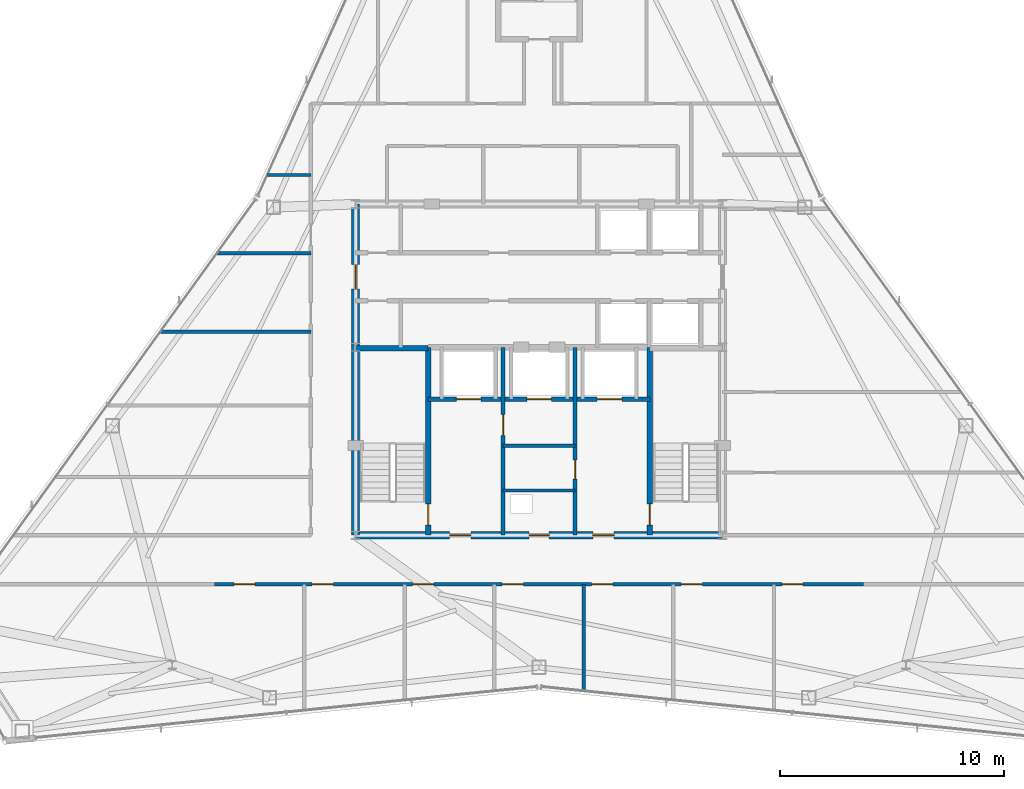
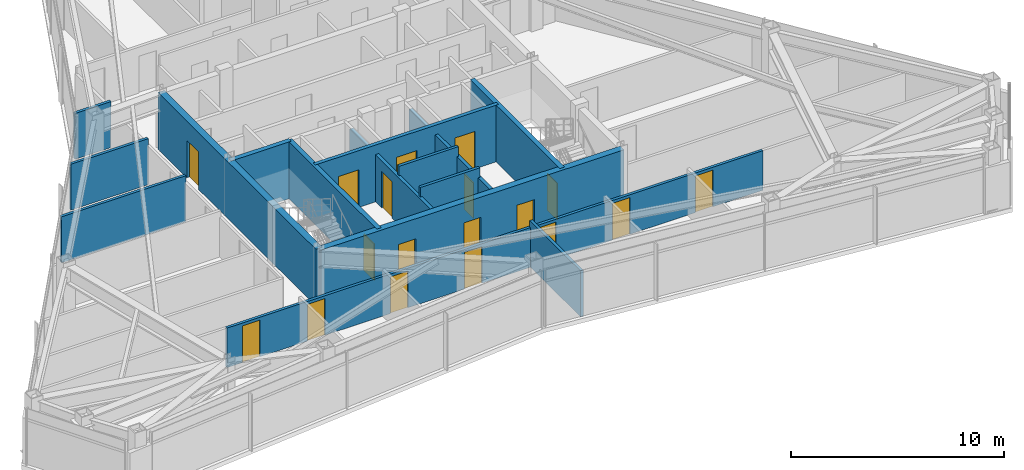
# One storey, part 9 of 12: 18 doors, 15 walls, 18 openings.
"""IFC4 building model written with IfcOpenShell, lengths in metres."""

from ifc_helpers import new_model, si_unit, direction, frame, frame_2d, origin, place, context, subcontext, project, spatial, rectangle, extrude, material, layer, layer_set, type_object, element, fill, save


model = new_model("IFC4")

# Units and contexts
model_context = context("Model", 3, precision=1e-05, world=origin(), true_north=direction((0.0, 1.0)))
body_context = subcontext(model_context, "Body", "Model", "MODEL_VIEW")
ifc_project = project(units=[si_unit("LENGTHUNIT", "METRE"), si_unit("AREAUNIT", "SQUARE_METRE"), si_unit("VOLUMEUNIT", "CUBIC_METRE"), si_unit("PLANEANGLEUNIT", "RADIAN"), si_unit("MASSUNIT", "GRAM", prefix="KILO")], contexts=[model_context])

# Site, building, storey
site_placement = place(None, origin())
site = spatial("IfcSite", under=ifc_project, at=site_placement, CompositionType="ELEMENT")
building_placement = place(site_placement, origin())
building = spatial("IfcBuilding", under=site, at=building_placement, Name="Varakhsha Concourse Tower", CompositionType="ELEMENT")
storey_placement = place(building_placement, frame((0.0, 0.0, 262.0)))
storey = spatial("IfcBuildingStorey", under=building, at=storey_placement, Name="L74", CompositionType="ELEMENT", Elevation=262.0)

# Wall, openings, doors
ifc_material_1 = material(Name="Concrete fc 65 MPa", Category="concrete")
ifc_layer_1 = layer(ifc_material_1, 0.35009765625, Name="WL-CORE-350")
ifc_layer_set_1 = layer_set([ifc_layer_1], Name="Concrete fc 65 MPa")
wall_type_1 = type_object("IfcWallType", Name="WL-CORE-350", PredefinedType="SHEAR", material=ifc_layer_set_1)
wall_1_placement = place(storey_placement, frame((31.800048828125, 16.39990234375, 0.0), z_axis=(0.0, 0.0, 1.0), x_axis=(1.0, 0.0, 0.0)))
wall_1 = element("IfcWall", 1, at=wall_1_placement, inside=storey, type_object=wall_type_1, Name="L74 Wall CWALL-S-L74", PredefinedType="SHEAR", context=body_context, shape_type="SweptSolid", body=[
    extrude(rectangle(XDim=16.39990234375, YDim=0.35009765625, at=frame_2d((8.199951171875, 0.0))), origin(), (0.0, 0.0, 1.0), 3.25),
])
opening_1_placement = place(wall_1_placement, frame((7.75, 0.0, 0.0)))
opening_1 = element("IfcOpeningElement", 2, at=opening_1_placement, cuts=wall_1, Name="Opening DF-06", PredefinedType="OPENING", context=body_context, shape_type="SweptSolid", body=[
    extrude(rectangle(XDim=0.89990234375, YDim=2.10009765625, at=frame_2d((0.449951171875, 1.050048828125))), frame((0.0, 0.18505859375, 0.0), z_axis=(0.0, -1.0, 0.0), x_axis=(1.0, 0.0, 0.0)), (0.0, 0.0, 1.0), 0.3701171875),
])
opening_2_placement = place(wall_1_placement, frame((4.199951171875, 0.0, 0.0)))
opening_2 = element("IfcOpeningElement", 3, at=opening_2_placement, cuts=wall_1, Name="Opening DF-05", PredefinedType="OPENING", context=body_context, shape_type="SweptSolid", body=[
    extrude(rectangle(XDim=0.949951171875, YDim=2.10009765625, at=frame_2d((0.47509765625, 1.050048828125))), frame((0.0, 0.18505859375, 0.0), z_axis=(0.0, -1.0, 0.0), x_axis=(1.0, 0.0, 0.0)), (0.0, 0.0, 1.0), 0.3701171875),
])
opening_3_placement = place(wall_1_placement, frame((10.60009765625, 0.0, 0.0)))
opening_3 = element("IfcOpeningElement", 4, at=opening_3_placement, cuts=wall_1, Name="Opening DF-05", PredefinedType="OPENING", context=body_context, shape_type="SweptSolid", body=[
    extrude(rectangle(XDim=0.949951171875, YDim=2.10009765625, at=frame_2d((0.47509765625, 1.050048828125))), frame((0.0, 0.18505859375, 0.0), z_axis=(0.0, -1.0, 0.0), x_axis=(1.0, 0.0, 0.0)), (0.0, 0.0, 1.0), 0.3701171875),
])
ifc_material_2 = material(Name="Hollow Galvanised Steel Fire Door Assembly", Category="steel")
door_type_1 = type_object("IfcDoorType", Name="DR-FD60-900", OperationType="NOTDEFINED", PredefinedType="DOOR", material=ifc_material_2)
door_1_placement = place(opening_1_placement, origin())
door_1 = element("IfcDoor", 5, at=door_1_placement, inside=storey, type_object=door_type_1, Name="L74 Electrical Riser Door", OperationType="SINGLE_SWING_LEFT", OverallHeight=2.10009765625, OverallWidth=0.89990234375, PredefinedType="DOOR", context=body_context, shape_type="SweptSolid", body=[
    extrude(rectangle(XDim=0.89990234375, YDim=2.10009765625, at=frame_2d((0.449951171875, 1.050048828125))), frame((0.0, 0.02490234375, 0.0), z_axis=(0.0, -1.0, 0.0), x_axis=(1.0, 0.0, 0.0)), (0.0, 0.0, 1.0), 0.050048828125),
])
fill(opening_1, door_1)
door_type_2 = type_object("IfcDoorType", Name="DR-FD60-950", OperationType="NOTDEFINED", PredefinedType="DOOR", material=ifc_material_2)
door_2_placement = place(opening_2_placement, origin())
door_2 = element("IfcDoor", 6, at=door_2_placement, inside=storey, type_object=door_type_2, Name="L74 Firefighting Lobby West Door", OperationType="SINGLE_SWING_RIGHT", OverallHeight=2.10009765625, OverallWidth=0.949951171875, PredefinedType="DOOR", context=body_context, shape_type="SweptSolid", body=[
    extrude(rectangle(XDim=0.949951171875, YDim=2.10009765625, at=frame_2d((0.47509765625, 1.050048828125))), frame((0.0, 0.02490234375, 0.0), z_axis=(0.0, -1.0, 0.0), x_axis=(1.0, 0.0, 0.0)), (0.0, 0.0, 1.0), 0.050048828125),
])
fill(opening_2, door_2)
door_3_placement = place(opening_3_placement, origin())
door_3 = element("IfcDoor", 7, at=door_3_placement, inside=storey, type_object=door_type_2, Name="L74 Firefighting Lobby East Door", OperationType="SINGLE_SWING_LEFT", OverallHeight=2.10009765625, OverallWidth=0.949951171875, PredefinedType="DOOR", context=body_context, shape_type="SweptSolid", body=[
    extrude(rectangle(XDim=0.949951171875, YDim=2.10009765625, at=frame_2d((0.47509765625, 1.050048828125))), frame((0.0, 0.02490234375, 0.0), z_axis=(0.0, -1.0, 0.0), x_axis=(1.0, 0.0, 0.0)), (0.0, 0.0, 1.0), 0.050048828125),
])
fill(opening_3, door_3)

# Wall, opening, door
wall_2_placement = place(storey_placement, frame((31.800048828125, 16.39990234375, 0.0), z_axis=(0.0, 0.0, 1.0), x_axis=(0.0, 1.0, 0.0)))
wall_2 = element("IfcWall", 8, at=wall_2_placement, inside=storey, type_object=wall_type_1, Name="L74 Wall CWALL-W-L74", PredefinedType="SHEAR", context=body_context, shape_type="SweptSolid", body=[
    extrude(rectangle(XDim=14.800048828125, YDim=0.35009765625, at=frame_2d((7.39990234375, 0.0))), origin(), (0.0, 0.0, 1.0), 3.25),
])
opening_4_placement = place(wall_2_placement, frame((11.0, 0.0, 0.0)))
opening_4 = element("IfcOpeningElement", 9, at=opening_4_placement, cuts=wall_2, Name="Opening DL-01", PredefinedType="OPENING", context=body_context, shape_type="SweptSolid", body=[
    extrude(rectangle(XDim=1.10009765625, YDim=2.14990234375, at=frame_2d((0.550048828125, 1.074951171875))), frame((0.0, 0.18505859375, 0.0), z_axis=(0.0, -1.0, 0.0), x_axis=(1.0, 0.0, 0.0)), (0.0, 0.0, 1.0), 0.3701171875),
])
ifc_material_3 = material(Name="Anodised Bronze Architectural Aluminium AA 6063-T6", Category="aluminium")
door_type_3 = type_object("IfcDoorType", Name="DR-LOB-1100", OperationType="NOTDEFINED", PredefinedType="DOOR", material=ifc_material_3)
door_4_placement = place(opening_4_placement, origin())
door_4 = element("IfcDoor", 10, at=door_4_placement, inside=storey, type_object=door_type_3, Name="L74 Lift Lobby West Concourse Door", OperationType="SINGLE_SWING_LEFT", OverallHeight=2.14990234375, OverallWidth=1.10009765625, PredefinedType="DOOR", context=body_context, shape_type="SweptSolid", body=[
    extrude(rectangle(XDim=1.10009765625, YDim=2.14990234375, at=frame_2d((0.550048828125, 1.074951171875))), frame((0.0, 0.02490234375, 0.0), z_axis=(0.0, -1.0, 0.0), x_axis=(1.0, 0.0, 0.0)), (0.0, 0.0, 1.0), 0.050048828125),
])
fill(opening_4, door_4)

ifc_material_4 = material(Name="Fire-Rated Type X Gypsum Partition Assembly", Category="gypsum")
ifc_layer_2 = layer(ifc_material_4, 0.179931640625, Name="WL-FFLOB-180")
ifc_layer_set_2 = layer_set([ifc_layer_2], Name="Fire-Rated Type X Gypsum Partition Assembly")
wall_type_2 = type_object("IfcWallType", Name="WL-FFLOB-180", PredefinedType="PARTITIONING", material=ifc_layer_set_2)
wall_3_placement = place(storey_placement, frame((38.389892578125, 16.39990234375, 0.0), z_axis=(0.0, 0.0, 1.0), x_axis=(0.0, 1.0, 0.0)))
wall_3 = element("IfcWall", 11, at=wall_3_placement, inside=storey, type_object=wall_type_2, Name="L74 Wall FFW-1E-L74", PredefinedType="PARTITIONING", context=body_context, shape_type="SweptSolid", body=[
    extrude(rectangle(XDim=8.400146484375, YDim=0.179931640625, at=frame_2d((4.2001953125, 0.0))), origin(), (0.0, 0.0, 1.0), 2.705078125),
])
opening_5_placement = place(wall_3_placement, frame((4.449951171875, 0.0, 0.0)))
opening_5 = element("IfcOpeningElement", 12, at=opening_5_placement, cuts=wall_3, Name="Opening DF-05", PredefinedType="OPENING", context=body_context, shape_type="SweptSolid", body=[
    extrude(rectangle(XDim=0.949951171875, YDim=2.10009765625, at=frame_2d((0.47509765625, 1.050048828125))), frame((0.0, 0.099853515625, 0.0), z_axis=(0.0, -1.0, 0.0), x_axis=(1.0, 0.0, 0.0)), (0.0, 0.0, 1.0), 0.199951171875),
])
door_5_placement = place(opening_5_placement, origin())
door_5 = element("IfcDoor", 13, at=door_5_placement, inside=storey, type_object=door_type_2, Name="L74 Service Vestibule Door", OperationType="SINGLE_SWING_RIGHT", OverallHeight=2.10009765625, OverallWidth=0.949951171875, PredefinedType="DOOR", context=body_context, shape_type="SweptSolid", body=[
    extrude(rectangle(XDim=0.949951171875, YDim=2.10009765625, at=frame_2d((0.47509765625, 1.050048828125))), frame((0.0, 0.02490234375, 0.0), z_axis=(0.0, -1.0, 0.0), x_axis=(1.0, 0.0, 0.0)), (0.0, 0.0, 1.0), 0.050048828125),
])
fill(opening_5, door_5)

wall_4_placement = place(storey_placement, frame((41.610107421875, 16.39990234375, 0.0), z_axis=(0.0, 0.0, 1.0), x_axis=(0.0, 1.0, 0.0)))
wall_4 = element("IfcWall", 14, at=wall_4_placement, inside=storey, type_object=wall_type_2, Name="L74 Wall FFW-2W-L74", PredefinedType="PARTITIONING", context=body_context, shape_type="SweptSolid", body=[
    extrude(rectangle(XDim=8.400146484375, YDim=0.179931640625, at=frame_2d((4.2001953125, 0.0))), origin(), (0.0, 0.0, 1.0), 2.705078125),
])
opening_6_placement = place(wall_4_placement, frame((2.5, 0.0, 0.0)))
opening_6 = element("IfcOpeningElement", 15, at=opening_6_placement, cuts=wall_4, Name="Opening DF-07", PredefinedType="OPENING", context=body_context, shape_type="SweptSolid", body=[
    extrude(rectangle(XDim=0.85009765625, YDim=2.050048828125, at=frame_2d((0.425048828125, 1.02490234375))), frame((0.0, 0.099853515625, 0.0), z_axis=(0.0, -1.0, 0.0), x_axis=(1.0, 0.0, 0.0)), (0.0, 0.0, 1.0), 0.199951171875),
])
door_type_4 = type_object("IfcDoorType", Name="DR-FD60-850", OperationType="NOTDEFINED", PredefinedType="DOOR", material=ifc_material_2)
door_6_placement = place(opening_6_placement, origin())
door_6 = element("IfcDoor", 16, at=door_6_placement, inside=storey, type_object=door_type_4, Name="L74 Telecoms Node Door", OperationType="SINGLE_SWING_LEFT", OverallHeight=2.050048828125, OverallWidth=0.85009765625, PredefinedType="DOOR", context=body_context, shape_type="SweptSolid", body=[
    extrude(rectangle(XDim=0.85009765625, YDim=2.050048828125, at=frame_2d((0.425048828125, 1.02490234375))), frame((0.0, 0.02490234375, 0.0), z_axis=(0.0, -1.0, 0.0), x_axis=(1.0, 0.0, 0.0)), (0.0, 0.0, 1.0), 0.050048828125),
])
fill(opening_6, door_6)

# Walls
ifc_layer_3 = layer(ifc_material_4, 0.14990234375, Name="WL-PART-150")
ifc_layer_set_3 = layer_set([ifc_layer_3], Name="Fire-Rated Type X Gypsum Partition Assembly")
wall_type_3 = type_object("IfcWallType", Name="WL-PART-150", PredefinedType="PARTITIONING", material=ifc_layer_set_3)
for number, where, z_axis, x_axis, name in (
    (17, (38.389892578125, 18.39990234375, 0.0), (0.0, 0.0, 1.0), (1.0, 0.0, 0.0), "L74 Wall RSW-H1-L74"),
    (18, (38.389892578125, 20.39990234375, 0.0), (0.0, 0.0, 1.0), (1.0, 0.0, 0.0), "L74 Wall RSW-H2-L74"),
):
    element("IfcWall", number, at=place(storey_placement, frame(where, z_axis=z_axis, x_axis=x_axis)), inside=storey, type_object=wall_type_3, Name=name, PredefinedType="PARTITIONING", context=body_context, shape_type="SweptSolid", body=[
        extrude(rectangle(XDim=3.22021484375, YDim=0.14990234375, at=frame_2d((1.610107421875, 0.0))), origin(), (0.0, 0.0, 1.0), 3.25),
    ])

# Wall, openings, doors
wall_5_placement = place(storey_placement, frame((25.5, 14.199951171875, 0.0), z_axis=(0.0, 0.0, 1.0), x_axis=(1.0, 0.0, 0.0)))
wall_5 = element("IfcWall", 19, at=wall_5_placement, inside=storey, type_object=wall_type_3, Name="L74 Wall CRW-S-DOOR-L74", PredefinedType="PARTITIONING", context=body_context, shape_type="SweptSolid", body=[
    extrude(rectangle(XDim=29.0, YDim=0.14990234375, at=frame_2d((14.5, 0.0))), origin(), (0.0, 0.0, 1.0), 2.264892578125),
])
opening_7_placement = place(wall_5_placement, frame((0.85009765625, 0.0, 0.0)))
opening_7 = element("IfcOpeningElement", 20, at=opening_7_placement, cuts=wall_5, Name="Opening DF-05", PredefinedType="OPENING", context=body_context, shape_type="SweptSolid", body=[
    extrude(rectangle(XDim=0.949951171875, YDim=2.10009765625, at=frame_2d((0.47509765625, 1.050048828125))), frame((0.0, 0.0849609375, 0.0), z_axis=(0.0, -1.0, 0.0), x_axis=(1.0, 0.0, 0.0)), (0.0, 0.0, 1.0), 0.169921875),
])
opening_8_placement = place(wall_5_placement, frame((4.35009765625, 0.0, 0.0)))
opening_8 = element("IfcOpeningElement", 21, at=opening_8_placement, cuts=wall_5, Name="Opening DF-05", PredefinedType="OPENING", context=body_context, shape_type="SweptSolid", body=[
    extrude(rectangle(XDim=0.949951171875, YDim=2.10009765625, at=frame_2d((0.47509765625, 1.050048828125))), frame((0.0, 0.0849609375, 0.0), z_axis=(0.0, -1.0, 0.0), x_axis=(1.0, 0.0, 0.0)), (0.0, 0.0, 1.0), 0.169921875),
])
opening_9_placement = place(wall_5_placement, frame((8.85009765625, 0.0, 0.0)))
opening_9 = element("IfcOpeningElement", 22, at=opening_9_placement, cuts=wall_5, Name="Opening DF-05", PredefinedType="OPENING", context=body_context, shape_type="SweptSolid", body=[
    extrude(rectangle(XDim=0.949951171875, YDim=2.10009765625, at=frame_2d((0.47509765625, 1.050048828125))), frame((0.0, 0.0849609375, 0.0), z_axis=(0.0, -1.0, 0.0), x_axis=(1.0, 0.0, 0.0)), (0.0, 0.0, 1.0), 0.169921875),
])
opening_10_placement = place(wall_5_placement, frame((12.85009765625, 0.0, 0.0)))
opening_10 = element("IfcOpeningElement", 23, at=opening_10_placement, cuts=wall_5, Name="Opening DF-05", PredefinedType="OPENING", context=body_context, shape_type="SweptSolid", body=[
    extrude(rectangle(XDim=0.949951171875, YDim=2.10009765625, at=frame_2d((0.47509765625, 1.050048828125))), frame((0.0, 0.0849609375, 0.0), z_axis=(0.0, -1.0, 0.0), x_axis=(1.0, 0.0, 0.0)), (0.0, 0.0, 1.0), 0.169921875),
])
opening_11_placement = place(wall_5_placement, frame((16.85009765625, 0.0, 0.0)))
opening_11 = element("IfcOpeningElement", 24, at=opening_11_placement, cuts=wall_5, Name="Opening DF-05", PredefinedType="OPENING", context=body_context, shape_type="SweptSolid", body=[
    extrude(rectangle(XDim=0.949951171875, YDim=2.10009765625, at=frame_2d((0.47509765625, 1.050048828125))), frame((0.0, 0.0849609375, 0.0), z_axis=(0.0, -1.0, 0.0), x_axis=(1.0, 0.0, 0.0)), (0.0, 0.0, 1.0), 0.169921875),
])
opening_12_placement = place(wall_5_placement, frame((20.85009765625, 0.0, 0.0)))
opening_12 = element("IfcOpeningElement", 25, at=opening_12_placement, cuts=wall_5, Name="Opening DF-05", PredefinedType="OPENING", context=body_context, shape_type="SweptSolid", body=[
    extrude(rectangle(XDim=0.949951171875, YDim=2.10009765625, at=frame_2d((0.47509765625, 1.050048828125))), frame((0.0, 0.0849609375, 0.0), z_axis=(0.0, -1.0, 0.0), x_axis=(1.0, 0.0, 0.0)), (0.0, 0.0, 1.0), 0.169921875),
])
opening_13_placement = place(wall_5_placement, frame((25.35009765625, 0.0, 0.0)))
opening_13 = element("IfcOpeningElement", 26, at=opening_13_placement, cuts=wall_5, Name="Opening DF-05", PredefinedType="OPENING", context=body_context, shape_type="SweptSolid", body=[
    extrude(rectangle(XDim=0.949951171875, YDim=2.10009765625, at=frame_2d((0.47509765625, 1.050048828125))), frame((0.0, 0.0849609375, 0.0), z_axis=(0.0, -1.0, 0.0), x_axis=(1.0, 0.0, 0.0)), (0.0, 0.0, 1.0), 0.169921875),
])
door_7_placement = place(opening_7_placement, origin())
door_7 = element("IfcDoor", 27, at=door_7_placement, inside=storey, type_object=door_type_2, Name="L74 BIM Coordination Workroom L74-S1 Door", OperationType="SINGLE_SWING_LEFT", OverallHeight=2.10009765625, OverallWidth=0.949951171875, PredefinedType="DOOR", context=body_context, shape_type="SweptSolid", body=[
    extrude(rectangle(XDim=0.949951171875, YDim=2.10009765625, at=frame_2d((0.47509765625, 1.050048828125))), frame((0.0, 0.02490234375, 0.0), z_axis=(0.0, -1.0, 0.0), x_axis=(1.0, 0.0, 0.0)), (0.0, 0.0, 1.0), 0.050048828125),
])
fill(opening_7, door_7)
door_8_placement = place(opening_8_placement, origin())
door_8 = element("IfcDoor", 28, at=door_8_placement, inside=storey, type_object=door_type_2, Name="L74 Dry R&D Design Lab L74-S2 Door", OperationType="SINGLE_SWING_RIGHT", OverallHeight=2.10009765625, OverallWidth=0.949951171875, PredefinedType="DOOR", context=body_context, shape_type="SweptSolid", body=[
    extrude(rectangle(XDim=0.949951171875, YDim=2.10009765625, at=frame_2d((0.47509765625, 1.050048828125))), frame((0.0, 0.02490234375, 0.0), z_axis=(0.0, -1.0, 0.0), x_axis=(1.0, 0.0, 0.0)), (0.0, 0.0, 1.0), 0.050048828125),
])
fill(opening_8, door_8)
door_9_placement = place(opening_9_placement, origin())
door_9 = element("IfcDoor", 29, at=door_9_placement, inside=storey, type_object=door_type_2, Name="L74 Dry R&D Design Lab L74-S3 Door", OperationType="SINGLE_SWING_LEFT", OverallHeight=2.10009765625, OverallWidth=0.949951171875, PredefinedType="DOOR", context=body_context, shape_type="SweptSolid", body=[
    extrude(rectangle(XDim=0.949951171875, YDim=2.10009765625, at=frame_2d((0.47509765625, 1.050048828125))), frame((0.0, 0.02490234375, 0.0), z_axis=(0.0, -1.0, 0.0), x_axis=(1.0, 0.0, 0.0)), (0.0, 0.0, 1.0), 0.050048828125),
])
fill(opening_9, door_9)
door_10_placement = place(opening_10_placement, origin())
door_10 = element("IfcDoor", 30, at=door_10_placement, inside=storey, type_object=door_type_2, Name="L74 Dry R&D Design Lab L74-S4 Door", OperationType="SINGLE_SWING_RIGHT", OverallHeight=2.10009765625, OverallWidth=0.949951171875, PredefinedType="DOOR", context=body_context, shape_type="SweptSolid", body=[
    extrude(rectangle(XDim=0.949951171875, YDim=2.10009765625, at=frame_2d((0.47509765625, 1.050048828125))), frame((0.0, 0.02490234375, 0.0), z_axis=(0.0, -1.0, 0.0), x_axis=(1.0, 0.0, 0.0)), (0.0, 0.0, 1.0), 0.050048828125),
])
fill(opening_10, door_10)
door_11_placement = place(opening_11_placement, origin())
door_11 = element("IfcDoor", 31, at=door_11_placement, inside=storey, type_object=door_type_2, Name="L74 Dry R&D Design Lab L74-S5 Door", OperationType="SINGLE_SWING_LEFT", OverallHeight=2.10009765625, OverallWidth=0.949951171875, PredefinedType="DOOR", context=body_context, shape_type="SweptSolid", body=[
    extrude(rectangle(XDim=0.949951171875, YDim=2.10009765625, at=frame_2d((0.47509765625, 1.050048828125))), frame((0.0, 0.02490234375, 0.0), z_axis=(0.0, -1.0, 0.0), x_axis=(1.0, 0.0, 0.0)), (0.0, 0.0, 1.0), 0.050048828125),
])
fill(opening_11, door_11)
door_12_placement = place(opening_12_placement, origin())
door_12 = element("IfcDoor", 32, at=door_12_placement, inside=storey, type_object=door_type_2, Name="L74 Dry R&D Design Lab L74-S6 Door", OperationType="SINGLE_SWING_RIGHT", OverallHeight=2.10009765625, OverallWidth=0.949951171875, PredefinedType="DOOR", context=body_context, shape_type="SweptSolid", body=[
    extrude(rectangle(XDim=0.949951171875, YDim=2.10009765625, at=frame_2d((0.47509765625, 1.050048828125))), frame((0.0, 0.02490234375, 0.0), z_axis=(0.0, -1.0, 0.0), x_axis=(1.0, 0.0, 0.0)), (0.0, 0.0, 1.0), 0.050048828125),
])
fill(opening_12, door_12)
door_13_placement = place(opening_13_placement, origin())
door_13 = element("IfcDoor", 33, at=door_13_placement, inside=storey, type_object=door_type_2, Name="L74 Dry R&D Design Lab L74-S7 Door", OperationType="SINGLE_SWING_LEFT", OverallHeight=2.10009765625, OverallWidth=0.949951171875, PredefinedType="DOOR", context=body_context, shape_type="SweptSolid", body=[
    extrude(rectangle(XDim=0.949951171875, YDim=2.10009765625, at=frame_2d((0.47509765625, 1.050048828125))), frame((0.0, 0.02490234375, 0.0), z_axis=(0.0, -1.0, 0.0), x_axis=(1.0, 0.0, 0.0)), (0.0, 0.0, 1.0), 0.050048828125),
])
fill(opening_13, door_13)

# Walls
wall_6_placement = place(storey_placement, frame((42.0, 9.438720703125, 0.0), z_axis=(0.0, 0.0, 1.0), x_axis=(0.0, 1.0, 0.0)))
element("IfcWall", 34, at=wall_6_placement, inside=storey, type_object=wall_type_3, Name="L74 Wall ODIV-S4-L74", PredefinedType="PARTITIONING", context=body_context, shape_type="SweptSolid", body=[
    extrude(rectangle(XDim=4.76123046875, YDim=0.14990234375, at=frame_2d((2.380615234375, 0.0))), origin(), (0.0, 0.0, 1.0), 2.6279296875),
])
wall_7_placement = place(storey_placement, frame((23.078369140625, 25.5, 0.0), z_axis=(0.0, 0.0, 1.0), x_axis=(1.0, 0.0, 0.0)))
element("IfcWall", 35, at=wall_7_placement, inside=storey, type_object=wall_type_3, Name="L74 Wall ODIV-W3-L74", PredefinedType="PARTITIONING", context=body_context, shape_type="SweptSolid", body=[
    extrude(rectangle(XDim=6.7216796875, YDim=0.14990234375, at=frame_2d((3.36083984375, 0.0))), origin(), (0.0, 0.0, 1.0), 2.6279296875),
])
wall_8_placement = place(storey_placement, frame((25.604248046875, 29.0, 0.0), z_axis=(0.0, 0.0, 1.0), x_axis=(1.0, 0.0, 0.0)))
element("IfcWall", 36, at=wall_8_placement, inside=storey, type_object=wall_type_3, Name="L74 Wall ODIV-W4-L74", PredefinedType="PARTITIONING", context=body_context, shape_type="SweptSolid", body=[
    extrude(rectangle(XDim=4.19580078125, YDim=0.14990234375, at=frame_2d((2.097900390625, 0.0))), origin(), (0.0, 0.0, 1.0), 2.6279296875),
])
wall_9_placement = place(storey_placement, frame((27.8515625, 32.5, 0.0), z_axis=(0.0, 0.0, 1.0), x_axis=(1.0, 0.0, 0.0)))
element("IfcWall", 37, at=wall_9_placement, inside=storey, type_object=wall_type_3, Name="L74 Wall ODIV-W5-L74", PredefinedType="PARTITIONING", context=body_context, shape_type="SweptSolid", body=[
    extrude(rectangle(XDim=1.948486328125, YDim=0.14990234375, at=frame_2d((0.97412109375, 0.0))), origin(), (0.0, 0.0, 1.0), 2.6279296875),
])

# Wall, openings, doors
ifc_layer_4 = layer(ifc_material_4, 0.199951171875, Name="WL-SHAFT-220")
ifc_layer_set_4 = layer_set([ifc_layer_4], Name="Fire-Rated Type X Gypsum Partition Assembly")
wall_type_4 = type_object("IfcWallType", Name="WL-SHAFT-220", PredefinedType="SOLIDWALL", material=ifc_layer_set_4)
wall_10_placement = place(storey_placement, frame((35.044921875, 22.47998046875, 0.0), z_axis=(0.0, 0.0, 1.0), x_axis=(1.0, 0.0, 0.0)))
wall_10 = element("IfcWall", 38, at=wall_10_placement, inside=storey, type_object=wall_type_4, Name="L74 Wall FFW-NH-L74", PredefinedType="SOLIDWALL", context=body_context, shape_type="SweptSolid", body=[
    extrude(rectangle(XDim=9.91015625, YDim=0.199951171875, at=frame_2d((4.955078125, 0.0))), origin(), (0.0, 0.0, 1.0), 3.25),
])
opening_14_placement = place(wall_10_placement, frame((1.2548828125, 0.0, 0.0)))
opening_14 = element("IfcOpeningElement", 39, at=opening_14_placement, cuts=wall_10, Name="Opening LD-FFL-1", PredefinedType="OPENING", context=body_context, shape_type="SweptSolid", body=[
    extrude(rectangle(XDim=1.10009765625, YDim=2.14990234375, at=frame_2d((0.550048828125, 1.074951171875))), frame((0.0, 0.10986328125, 0.0), z_axis=(0.0, -1.0, 0.0), x_axis=(1.0, 0.0, 0.0)), (0.0, 0.0, 1.0), 0.219970703125),
])
opening_15_placement = place(wall_10_placement, frame((7.554931640625, 0.0, 0.0)))
opening_15 = element("IfcOpeningElement", 40, at=opening_15_placement, cuts=wall_10, Name="Opening LD-FFL-2", PredefinedType="OPENING", context=body_context, shape_type="SweptSolid", body=[
    extrude(rectangle(XDim=1.10009765625, YDim=2.14990234375, at=frame_2d((0.550048828125, 1.074951171875))), frame((0.0, 0.10986328125, 0.0), z_axis=(0.0, -1.0, 0.0), x_axis=(1.0, 0.0, 0.0)), (0.0, 0.0, 1.0), 0.219970703125),
])
opening_16_placement = place(wall_10_placement, frame((4.405029296875, 0.0, 0.0)))
opening_16 = element("IfcOpeningElement", 41, at=opening_16_placement, cuts=wall_10, Name="Opening LD-SVL-1", PredefinedType="OPENING", context=body_context, shape_type="SweptSolid", body=[
    extrude(rectangle(XDim=1.10009765625, YDim=2.14990234375, at=frame_2d((0.550048828125, 1.074951171875))), frame((0.0, 0.10986328125, 0.0), z_axis=(0.0, -1.0, 0.0), x_axis=(1.0, 0.0, 0.0)), (0.0, 0.0, 1.0), 0.219970703125),
])
ifc_material_5 = material(Name="Brushed Austenitic Stainless Steel AISI 316", Category="steel")
door_type_5 = type_object("IfcDoorType", Name="DR-LD-1100", OperationType="DOUBLE_DOOR_SLIDING", PredefinedType="DOOR", material=ifc_material_5)
door_14_placement = place(opening_14_placement, origin())
door_14 = element("IfcDoor", 42, at=door_14_placement, inside=storey, type_object=door_type_5, Name="Lift Landing Door FFL-1 L74", OperationType="DOUBLE_DOOR_SLIDING", OverallHeight=2.14990234375, OverallWidth=1.10009765625, PredefinedType="DOOR", context=body_context, shape_type="SweptSolid", body=[
    extrude(rectangle(XDim=1.10009765625, YDim=2.14990234375, at=frame_2d((0.550048828125, 1.074951171875))), frame((0.0, 0.02490234375, 0.0), z_axis=(0.0, -1.0, 0.0), x_axis=(1.0, 0.0, 0.0)), (0.0, 0.0, 1.0), 0.050048828125),
])
fill(opening_14, door_14)
door_15_placement = place(opening_15_placement, origin())
door_15 = element("IfcDoor", 43, at=door_15_placement, inside=storey, type_object=door_type_5, Name="Lift Landing Door FFL-2 L74", OperationType="DOUBLE_DOOR_SLIDING", OverallHeight=2.14990234375, OverallWidth=1.10009765625, PredefinedType="DOOR", context=body_context, shape_type="SweptSolid", body=[
    extrude(rectangle(XDim=1.10009765625, YDim=2.14990234375, at=frame_2d((0.550048828125, 1.074951171875))), frame((0.0, 0.02490234375, 0.0), z_axis=(0.0, -1.0, 0.0), x_axis=(1.0, 0.0, 0.0)), (0.0, 0.0, 1.0), 0.050048828125),
])
fill(opening_15, door_15)
door_16_placement = place(opening_16_placement, origin())
door_16 = element("IfcDoor", 44, at=door_16_placement, inside=storey, type_object=door_type_5, Name="Lift Landing Door SVL-1 L74", OperationType="DOUBLE_DOOR_SLIDING", OverallHeight=2.14990234375, OverallWidth=1.10009765625, PredefinedType="DOOR", context=body_context, shape_type="SweptSolid", body=[
    extrude(rectangle(XDim=1.10009765625, YDim=2.14990234375, at=frame_2d((0.550048828125, 1.074951171875))), frame((0.0, 0.02490234375, 0.0), z_axis=(0.0, -1.0, 0.0), x_axis=(1.0, 0.0, 0.0)), (0.0, 0.0, 1.0), 0.050048828125),
])
fill(opening_16, door_16)

# Wall, opening, door
ifc_material_6 = material(Name="Concrete fc 45 MPa", Category="concrete")
ifc_layer_5 = layer(ifc_material_6, 0.25, Name="WL-STAIR-250")
ifc_layer_set_5 = layer_set([ifc_layer_5], Name="Concrete fc 45 MPa")
wall_type_5 = type_object("IfcWallType", Name="WL-STAIR-250", PredefinedType="SHEAR", material=ifc_layer_set_5)
wall_11_placement = place(storey_placement, frame((35.044921875, 16.39990234375, 0.0), z_axis=(0.0, 0.0, 1.0), x_axis=(0.0, 1.0, 0.0)))
wall_11 = element("IfcWall", 45, at=wall_11_placement, inside=storey, type_object=wall_type_5, Name="L74 Wall SWALL-ST1-E-L74", PredefinedType="SHEAR", context=body_context, shape_type="SweptSolid", body=[
    extrude(rectangle(XDim=8.400146484375, YDim=0.25, at=frame_2d((4.2001953125, 0.0))), origin(), (0.0, 0.0, 1.0), 3.25),
])
opening_17_placement = place(wall_11_placement, frame((0.449951171875, 0.0, 0.0)))
opening_17 = element("IfcOpeningElement", 46, at=opening_17_placement, cuts=wall_11, Name="Opening DF-03", PredefinedType="OPENING", context=body_context, shape_type="SweptSolid", body=[
    extrude(rectangle(XDim=0.949951171875, YDim=2.10009765625, at=frame_2d((0.47509765625, 1.050048828125))), frame((0.0, 0.135009765625, 0.0), z_axis=(0.0, -1.0, 0.0), x_axis=(1.0, 0.0, 0.0)), (0.0, 0.0, 1.0), 0.27001953125),
])
door_type_6 = type_object("IfcDoorType", Name="DR-FD90-950", OperationType="NOTDEFINED", PredefinedType="DOOR", material=ifc_material_2)
door_17_placement = place(opening_17_placement, origin())
door_17 = element("IfcDoor", 47, at=door_17_placement, inside=storey, type_object=door_type_6, Name="L74 Stair ST1 Fire Door", OperationType="SINGLE_SWING_LEFT", OverallHeight=2.10009765625, OverallWidth=0.949951171875, PredefinedType="DOOR", context=body_context, shape_type="SweptSolid", body=[
    extrude(rectangle(XDim=0.949951171875, YDim=2.10009765625, at=frame_2d((0.47509765625, 1.050048828125))), frame((0.0, 0.02490234375, 0.0), z_axis=(0.0, -1.0, 0.0), x_axis=(1.0, 0.0, 0.0)), (0.0, 0.0, 1.0), 0.050048828125),
])
fill(opening_17, door_17)

# Wall
wall_12_placement = place(storey_placement, frame((31.800048828125, 24.7548828125, 0.0), z_axis=(0.0, 0.0, 1.0), x_axis=(1.0, 0.0, 0.0)))
element("IfcWall", 48, at=wall_12_placement, inside=storey, type_object=wall_type_5, Name="L74 Wall SWALL-ST1-N-L74", PredefinedType="SHEAR", context=body_context, shape_type="SweptSolid", body=[
    extrude(rectangle(XDim=3.244873046875, YDim=0.25, at=frame_2d((1.62255859375, 0.0))), origin(), (0.0, 0.0, 1.0), 3.25),
])

# Wall, opening, door
wall_13_placement = place(storey_placement, frame((44.955078125, 16.39990234375, 0.0), z_axis=(0.0, 0.0, 1.0), x_axis=(0.0, 1.0, 0.0)))
wall_13 = element("IfcWall", 49, at=wall_13_placement, inside=storey, type_object=wall_type_5, Name="L74 Wall SWALL-ST2-W-L74", PredefinedType="SHEAR", context=body_context, shape_type="SweptSolid", body=[
    extrude(rectangle(XDim=8.400146484375, YDim=0.25, at=frame_2d((4.2001953125, 0.0))), origin(), (0.0, 0.0, 1.0), 3.25),
])
opening_18_placement = place(wall_13_placement, frame((0.449951171875, 0.0, 0.0)))
opening_18 = element("IfcOpeningElement", 50, at=opening_18_placement, cuts=wall_13, Name="Opening DF-03", PredefinedType="OPENING", context=body_context, shape_type="SweptSolid", body=[
    extrude(rectangle(XDim=0.949951171875, YDim=2.10009765625, at=frame_2d((0.47509765625, 1.050048828125))), frame((0.0, 0.135009765625, 0.0), z_axis=(0.0, -1.0, 0.0), x_axis=(1.0, 0.0, 0.0)), (0.0, 0.0, 1.0), 0.27001953125),
])
door_18_placement = place(opening_18_placement, origin())
door_18 = element("IfcDoor", 51, at=door_18_placement, inside=storey, type_object=door_type_6, Name="L74 Stair ST2 Fire Door", OperationType="SINGLE_SWING_RIGHT", OverallHeight=2.10009765625, OverallWidth=0.949951171875, PredefinedType="DOOR", context=body_context, shape_type="SweptSolid", body=[
    extrude(rectangle(XDim=0.949951171875, YDim=2.10009765625, at=frame_2d((0.47509765625, 1.050048828125))), frame((0.0, 0.02490234375, 0.0), z_axis=(0.0, -1.0, 0.0), x_axis=(1.0, 0.0, 0.0)), (0.0, 0.0, 1.0), 0.050048828125),
])
fill(opening_18, door_18)

save(model, "model.ifc")
